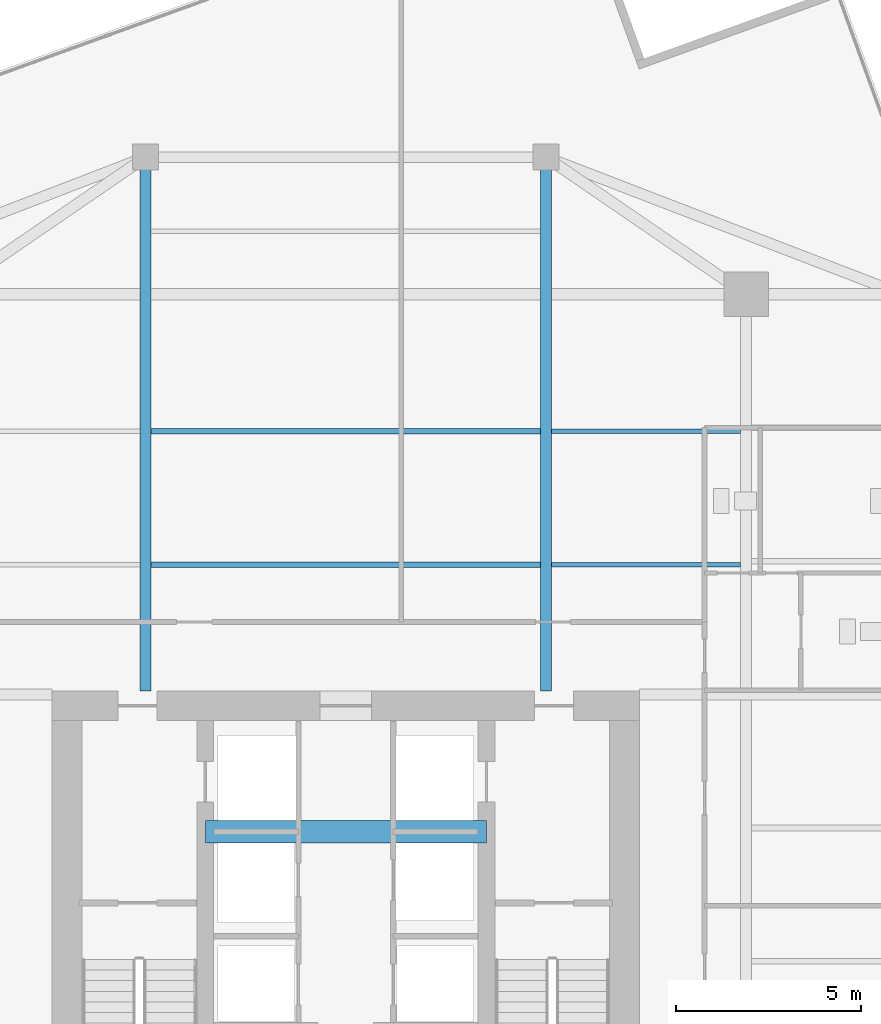
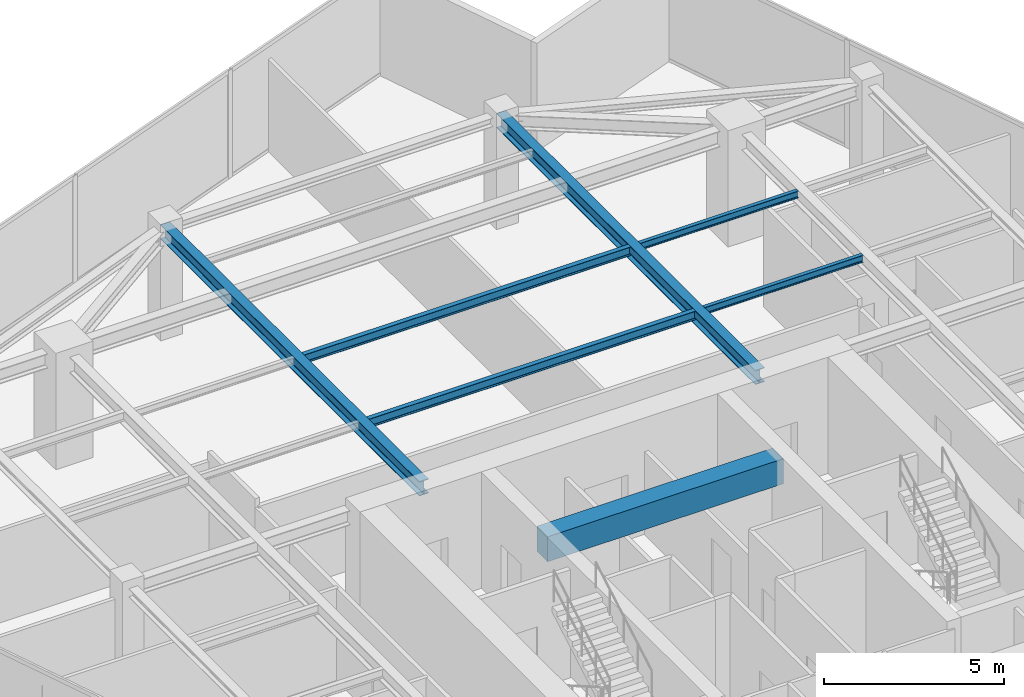
# One storey, part 8 of 21: 7 beams.
"""IFC4 building model written with IfcOpenShell, lengths in metres."""

from ifc_helpers import new_model, si_unit, direction, frame, origin, origin_2d, place, context, subcontext, project, spatial, rectangle, i_section, extrude, source, transform, mapped, material, material_profile, profile_set, type_object, type_shapes, element, save


model = new_model("IFC4")

# Units and contexts
model_context = context("Model", 3, precision=1e-05, world=origin(), true_north=direction((0.0, 1.0)))
body_context = subcontext(model_context, "Body", "Model", "MODEL_VIEW")
ifc_project = project(units=[si_unit("LENGTHUNIT", "METRE"), si_unit("AREAUNIT", "SQUARE_METRE"), si_unit("VOLUMEUNIT", "CUBIC_METRE"), si_unit("PLANEANGLEUNIT", "RADIAN"), si_unit("MASSUNIT", "GRAM", prefix="KILO")], contexts=[model_context])

# Site, building, storey
site_placement = place(None, origin())
site = spatial("IfcSite", under=ifc_project, at=site_placement, CompositionType="ELEMENT")
building_placement = place(site_placement, origin())
building = spatial("IfcBuilding", under=site, at=building_placement, Name="Krantzveldt Concourse Tower", CompositionType="ELEMENT")
storey_placement = place(building_placement, frame((0.0, 0.0, 331.64990234375)))
storey = spatial("IfcBuildingStorey", under=building, at=storey_placement, Name="L81", CompositionType="ELEMENT", Elevation=331.64990234375)

# Beams
ifc_material_1 = material(Name="Steel S355JR", Category="steel")
ifc_material_profile_1 = material_profile(ifc_material_1, i_section(OverallWidth=0.300048828125, OverallDepth=0.489990234375, WebThickness=0.011962890625, FlangeThickness=0.02294921875, FilletRadius=0.027099609375, at=origin_2d()), Name="Steel S355JR", Category="steel")
ifc_profile_set_1 = profile_set([ifc_material_profile_1], Name="Steel S355JR - HEA 500")
beam_type_1 = type_object("IfcBeamType", Name="BM-B-HEA500", PredefinedType="BEAM", material=ifc_profile_set_1)
shared_shape_1 = source(origin(), body_context, "Body", "SweptSolid", [
    extrude(i_section(OverallWidth=0.300048828125, OverallDepth=0.489990234375, WebThickness=0.011962890625, FlangeThickness=0.02294921875, FilletRadius=0.027099609375, at=origin_2d()), origin(), (0.0, 0.0, 1.0), 14.39990234375),
])
type_shapes(beam_type_1, [shared_shape_1])
for number, where, z_axis, x_axis, name in (
    (1, (30.60009765625, 26.800048828125, 3.425048828125), (0.0, 1.0, 0.0), (-1.0, 0.0, 0.0), "L81 Tower Girder BG-CNW"),
    (2, (41.39990234375, 26.800048828125, 3.425048828125), (0.0, 1.0, 0.0), (-1.0, 0.0, 0.0), "L81 Tower Girder BG-CNE"),
):
    element("IfcBeam", number, at=place(storey_placement, frame(where, z_axis=z_axis, x_axis=x_axis)), inside=storey, type_object=beam_type_1, Name=name, PredefinedType="BEAM", context=body_context, shape_type="MappedRepresentation", body=[
        mapped(shared_shape_1, transform((0.0, 0.0, 0.0), x_axis=(1.0, 0.0, 0.0), y_axis=(0.0, 1.0, 0.0), z_axis=(0.0, 0.0, 1.0), scale=1.0)),
    ])
ifc_material_profile_2 = material_profile(ifc_material_1, i_section(OverallWidth=0.14990234375, OverallDepth=0.300048828125, WebThickness=0.007080078125, FlangeThickness=0.0107421875, FilletRadius=0.014892578125, at=origin_2d()), Name="Steel S355JR", Category="steel")
ifc_profile_set_2 = profile_set([ifc_material_profile_2], Name="Steel S355JR - IPE 300")
beam_type_2 = type_object("IfcBeamType", Name="BM-J-IPE300", PredefinedType="JOIST", material=ifc_profile_set_2)
shared_shape_2 = source(origin(), body_context, "Body", "SweptSolid", [
    extrude(i_section(OverallWidth=0.14990234375, OverallDepth=0.300048828125, WebThickness=0.007080078125, FlangeThickness=0.0107421875, FilletRadius=0.014892578125, at=origin_2d()), origin(), (0.0, 0.0, 1.0), 10.5),
])
type_shapes(beam_type_2, [shared_shape_2])
for number, where, z_axis, x_axis, name in (
    (3, (30.75, 30.199951171875, 3.52001953125), (1.0, 0.0, 0.0), (0.0, 1.0, 0.0), "L81 Secondary Floor Joist JN-C1"),
    (4, (30.75, 33.800048828125, 3.52001953125), (1.0, 0.0, 0.0), (0.0, 1.0, 0.0), "L81 Secondary Floor Joist JN-C2"),
):
    element("IfcBeam", number, at=place(storey_placement, frame(where, z_axis=z_axis, x_axis=x_axis)), inside=storey, type_object=beam_type_2, Name=name, PredefinedType="JOIST", context=body_context, shape_type="MappedRepresentation", body=[
        mapped(shared_shape_2, transform((0.0, 0.0, 0.0), x_axis=(1.0, 0.0, 0.0), y_axis=(0.0, 1.0, 0.0), z_axis=(0.0, 0.0, 1.0), scale=1.0)),
    ])
ifc_material_2 = material(Name="Concrete C50/60", Category="concrete")
ifc_material_profile_3 = material_profile(ifc_material_2, rectangle(XDim=0.60009765625, YDim=0.85009765625, at=origin_2d()), Name="Concrete C50/60", Category="concrete")
ifc_profile_set_3 = profile_set([ifc_material_profile_3], Name="Concrete C50/60 - RC-CB 600x850")
beam_type_3 = type_object("IfcBeamType", Name="BM-CB-850", PredefinedType="LINTEL", material=ifc_profile_set_3)
shared_shape_3 = source(origin(), body_context, "Body", "SweptSolid", [
    extrude(rectangle(XDim=0.60009765625, YDim=0.85009765625, at=origin_2d()), origin(), (0.0, 0.0, 1.0), 7.580078125),
])
type_shapes(beam_type_3, [shared_shape_3])
beam_placement = place(storey_placement, frame((32.2099609375, 23.0, 3.2451171875), z_axis=(1.0, 0.0, 0.0), x_axis=(0.0, 1.0, 0.0)))
element("IfcBeam", 5, at=beam_placement, inside=storey, type_object=beam_type_3, Name="CB-L81-01", PredefinedType="LINTEL", context=body_context, shape_type="MappedRepresentation", body=[
    mapped(shared_shape_3, transform((0.0, 0.0, 0.0), x_axis=(1.0, 0.0, 0.0), y_axis=(0.0, 1.0, 0.0), z_axis=(0.0, 0.0, 1.0), scale=1.0)),
])
ifc_material_profile_4 = material_profile(ifc_material_1, i_section(OverallWidth=0.1201171875, OverallDepth=0.239990234375, WebThickness=0.006103515625, FlangeThickness=0.009765625, FilletRadius=0.014892578125, at=origin_2d()), Name="Steel S355JR", Category="steel")
ifc_profile_set_4 = profile_set([ifc_material_profile_4], Name="Steel S355JR - IPE 240")
beam_type_4 = type_object("IfcBeamType", Name="BM-LN-IPE240", PredefinedType="LINTEL", material=ifc_profile_set_4)
shared_shape_4 = source(origin(), body_context, "Body", "SweptSolid", [
    extrude(i_section(OverallWidth=0.1201171875, OverallDepth=0.239990234375, WebThickness=0.006103515625, FlangeThickness=0.009765625, FilletRadius=0.014892578125, at=origin_2d()), origin(), (0.0, 0.0, 1.0), 5.099853515625),
])
type_shapes(beam_type_4, [shared_shape_4])
for number, where, z_axis, x_axis, name in (
    (6, (41.550048828125, 30.199951171875, 3.550048828125), (1.0, 0.0, 0.0), (0.0, 1.0, 0.0), "L81 Secondary Floor Joist JN-E1"),
    (7, (41.550048828125, 33.800048828125, 3.550048828125), (1.0, 0.0, 0.0), (0.0, 1.0, 0.0), "L81 Secondary Floor Joist JN-E2"),
):
    element("IfcBeam", number, at=place(storey_placement, frame(where, z_axis=z_axis, x_axis=x_axis)), inside=storey, type_object=beam_type_4, Name=name, PredefinedType="LINTEL", context=body_context, shape_type="MappedRepresentation", body=[
        mapped(shared_shape_4, transform((0.0, 0.0, 0.0), x_axis=(1.0, 0.0, 0.0), y_axis=(0.0, 1.0, 0.0), z_axis=(0.0, 0.0, 1.0), scale=1.0)),
    ])

save(model, "model.ifc")
